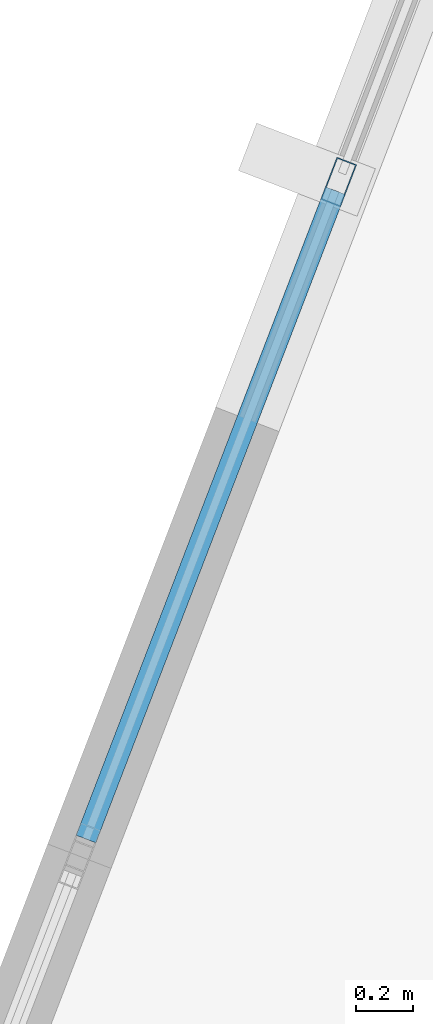
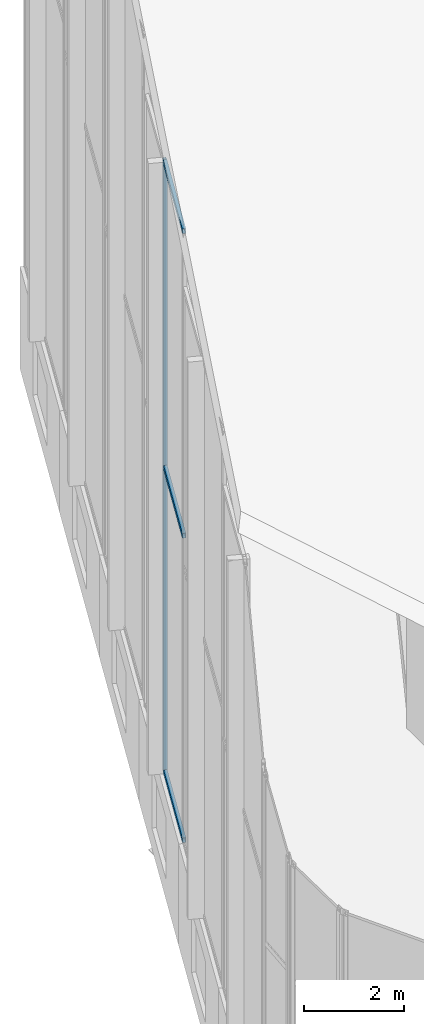
# One storey, part 16 of 74: 4 members, 1 element without a shape of its own.
"""IFC4 building model written with IfcOpenShell, lengths in metres."""

import ifcopenshell
import ifcopenshell.guid

model = None  # the IFC model being written
_history = None  # IfcOwnerHistory: only IFC2X3 demands one
_inside = {}  # id of a spatial element -> (the spatial element, [elements in it])
_under = {}  # id of a project, library or spatial element -> (it, [spatial elements below it])
_declared = {}  # id of a project -> (the project, [libraries it declares])
_typed = {}  # id of a type object -> (the type object, [elements of that type])
_made_of = {}  # id of a material, layer set ... -> (it, [elements and type objects made of it])


def new_model(schema):
    """Start an empty IFC model of exactly this schema.

    Asked for "IFC4X3", IfcOpenShell would pick the latest addendum, in which some entities
    have other attributes; the version numbers below select the first issue.
    IFC2X3 requires an IfcOwnerHistory on every rooted entity: one is made here for all.
    """
    global model, _history
    if schema == "IFC4X3":
        model = ifcopenshell.file(schema_version=(4, 3, 0, 0))
    else:
        model = ifcopenshell.file(schema=schema)
    _inside.clear()
    _under.clear()
    _declared.clear()
    _typed.clear()
    _made_of.clear()
    _history = None
    if model.schema == "IFC2X3":
        org = make("IfcOrganization", Name="unknown")
        user = make(
            "IfcPersonAndOrganization",
            ThePerson=make("IfcPerson", FamilyName="unknown"),
            TheOrganization=org,
        )
        app = make(
            "IfcApplication",
            ApplicationDeveloper=org,
            Version="unknown",
            ApplicationFullName="unknown",
            ApplicationIdentifier="unknown",
        )
        _history = make(
            "IfcOwnerHistory",
            OwningUser=user,
            OwningApplication=app,
            ChangeAction="ADDED",
            CreationDate=0,
        )
    return model


def make(cls, **values):
    """One entity of the class cls with the attributes given. An attribute that is None is left unset."""
    return model.create_entity(
        cls, **{name: value for name, value in values.items() if value is not None}
    )


def rooted(cls, **values):
    """An entity with a GlobalId (a new one), such as an element, a storey or a relation."""
    return make(cls, GlobalId=ifcopenshell.guid.new(), OwnerHistory=_history, **values)


def si_unit(unit_type, name, prefix=None):
    """IfcSIUnit, for example si_unit("LENGTHUNIT", "METRE", prefix="MILLI")."""
    return make("IfcSIUnit", UnitType=unit_type, Prefix=prefix, Name=name)


def assignment(units):
    """IfcUnitAssignment: the units of a project."""
    return None if units is None else make("IfcUnitAssignment", Units=units)


def point(xyz):
    """IfcCartesianPoint."""
    return None if xyz is None else make("IfcCartesianPoint", Coordinates=xyz)


def direction(xyz):
    """IfcDirection."""
    return None if xyz is None else make("IfcDirection", DirectionRatios=xyz)


def frame(location, z_axis=None, x_axis=None):
    """IfcAxis2Placement3D, a coordinate frame: its origin and axes. An axis left out is left unset."""
    return make(
        "IfcAxis2Placement3D",
        Location=point(location),
        Axis=direction(z_axis),
        RefDirection=direction(x_axis),
    )


def frame_2d(location, x_axis=None):
    """IfcAxis2Placement2D, a coordinate frame in the plane: its origin and x axis."""
    return make(
        "IfcAxis2Placement2D", Location=point(location), RefDirection=direction(x_axis)
    )


def origin():
    """The frame at (0, 0, 0) with its axes left unset."""
    return frame((0.0, 0.0, 0.0))


def origin_2d():
    """The frame at (0, 0) in the plane with its x axis left unset."""
    return frame_2d((0.0, 0.0))


def place(relative_to, where):
    """IfcLocalPlacement: puts the frame where relative to a parent placement (None: the world)."""
    return make(
        "IfcLocalPlacement", PlacementRelTo=relative_to, RelativePlacement=where
    )


def context(
    kind, dimensions, precision=None, world=None, true_north=None, identifier=None
):
    """IfcGeometricRepresentationContext, for example the 3D "Model" context."""
    return make(
        "IfcGeometricRepresentationContext",
        ContextIdentifier=identifier,
        ContextType=kind,
        CoordinateSpaceDimension=dimensions,
        Precision=precision,
        WorldCoordinateSystem=world,
        TrueNorth=true_north,
    )


def subcontext(parent, identifier, kind, view, scale=None):
    """IfcGeometricRepresentationSubContext, for example "Body" below "Model"."""
    return make(
        "IfcGeometricRepresentationSubContext",
        ContextIdentifier=identifier,
        ContextType=kind,
        ParentContext=parent,
        TargetScale=scale,
        TargetView=view,
    )


def project(units=None, contexts=None):
    """IfcProject with its units and contexts."""
    return rooted(
        "IfcProject",
        Name="project",
        RepresentationContexts=contexts,
        UnitsInContext=assignment(units),
    )


def spatial(cls, under=None, at=None, **own):
    """A site, building, storey or space (cls), placed at a placement, below another one or the project."""
    s = rooted(cls, ObjectPlacement=at, **own)
    if under is not None:
        _under.setdefault(under.id(), (under, []))[1].append(s)
    return s


def profile(cls, at=None, kind="AREA", **sizes):
    """A parametric profile (cls). Its sizes go by their IFC names, for example OverallWidth=200.0."""
    return make(cls, ProfileType=kind, Position=at, **sizes)


def hollow_rectangle(**sizes):
    """IfcRectangleHollowProfileDef."""
    return profile("IfcRectangleHollowProfileDef", **sizes)


def extrude(swept, where, along, depth):
    """IfcExtrudedAreaSolid: the profile swept, set in the frame where, extruded along a direction by depth."""
    return make(
        "IfcExtrudedAreaSolid",
        SweptArea=swept,
        Position=where,
        ExtrudedDirection=direction(along),
        Depth=depth,
    )


def shape(context_of_items, identifier, shape_type, items):
    """IfcShapeRepresentation: the items that make up one representation, for example the "Body"."""
    return make(
        "IfcShapeRepresentation",
        ContextOfItems=context_of_items,
        RepresentationIdentifier=identifier,
        RepresentationType=shape_type,
        Items=items,
    )


def material(Name=None, Category=None):
    """IfcMaterial."""
    return make("IfcMaterial", Name=Name, Category=Category)


def layer(
    of_material, thickness, ventilated=None, Name=None, Category=None, Priority=None
):
    """IfcMaterialLayer: one layer of a wall or slab, of a material (None: an air gap)."""
    return make(
        "IfcMaterialLayer",
        Material=of_material,
        LayerThickness=thickness,
        IsVentilated=ventilated,
        Name=Name,
        Category=Category,
        Priority=Priority,
    )


def layer_set(layers, Name=None):
    """IfcMaterialLayerSet."""
    return make("IfcMaterialLayerSet", MaterialLayers=layers, LayerSetName=Name)


def material_profile(
    of_material, cross_section, Name=None, Category=None, Priority=None
):
    """IfcMaterialProfile: a cross section and its material."""
    return make(
        "IfcMaterialProfile",
        Name=Name,
        Material=of_material,
        Profile=cross_section,
        Priority=Priority,
        Category=Category,
    )


def profile_set(profiles, Name=None, composite=None):
    """IfcMaterialProfileSet."""
    return make(
        "IfcMaterialProfileSet",
        Name=Name,
        MaterialProfiles=profiles,
        CompositeProfile=composite,
    )


def made_of(thing, what):
    """Note that an element or type object is made of a material, layer set ...; save() writes the relation."""
    if what is not None:
        _made_of.setdefault(what.id(), (what, []))[1].append(thing)
    return thing


def type_object(cls, material=None, **own):
    """A type object (cls), such as IfcWallType, which elements share."""
    return made_of(rooted(cls, **own), material)


def element(
    cls,
    number,
    at=None,
    inside=None,
    cuts=None,
    type_object=None,
    material=None,
    context=None,
    identifier="Body",
    shape_type=None,
    held_by="IfcProductDefinitionShape",
    body=None,
    shapes=None,
    **own,
):
    """One element of the class cls, such as IfcWall. Its Tag is "e" and its number.

    at: its placement. inside: the storey or other place that contains it. cuts: it is an
    opening in that element (IfcRelVoidsElement). A single representation is given by context,
    identifier, shape_type and body (its items); several are given by shapes. held_by: the class
    of the entity that holds the representations. save() writes the other relations.
    """
    e = rooted(cls, Tag="e%d" % number, ObjectPlacement=at, **own)
    if body is not None:
        shapes = [shape(context, identifier, shape_type, body)]
    if shapes is not None:
        e.Representation = make(held_by, Representations=shapes)
    if inside is not None:
        _inside.setdefault(inside.id(), (inside, []))[1].append(e)
    if cuts is not None:
        rooted(
            "IfcRelVoidsElement", RelatingBuildingElement=cuts, RelatedOpeningElement=e
        )
    if type_object is not None:
        _typed.setdefault(type_object.id(), (type_object, []))[1].append(e)
    return made_of(e, material)


def aggregate(whole, parts):
    """IfcRelAggregates: a whole, such as a stair, and the parts it consists of."""
    return rooted("IfcRelAggregates", RelatingObject=whole, RelatedObjects=parts)


def save(model, path):
    """Write the relations noted so far, then the file.

    IfcRelAggregates (storeys below a building ...), IfcRelContainedInSpatialStructure (elements
    in a storey), IfcRelDefinesByType, IfcRelAssociatesMaterial and IfcRelDeclares: one each for
    every whole, place, type object, material and project.
    """
    for whole, parts in _under.values():
        aggregate(whole, parts)
    for where, things in _inside.values():
        rooted(
            "IfcRelContainedInSpatialStructure",
            RelatedElements=things,
            RelatingStructure=where,
        )
    for kind, things in _typed.values():
        rooted("IfcRelDefinesByType", RelatedObjects=things, RelatingType=kind)
    for what, things in _made_of.values():
        rooted("IfcRelAssociatesMaterial", RelatedObjects=things, RelatingMaterial=what)
    for by, libraries in _declared.values():
        rooted("IfcRelDeclares", RelatingContext=by, RelatedDefinitions=libraries)
    model.write(path)


model = new_model("IFC4")

# Units and contexts
model_context = context("Model", 3, precision=1e-05, world=origin(), true_north=direction((0.0, 1.0)))
body_context = subcontext(model_context, "Body", "Model", "MODEL_VIEW")
ifc_project = project(units=[si_unit("LENGTHUNIT", "METRE"), si_unit("AREAUNIT", "SQUARE_METRE"), si_unit("VOLUMEUNIT", "CUBIC_METRE"), si_unit("PLANEANGLEUNIT", "RADIAN"), si_unit("MASSUNIT", "GRAM", prefix="KILO")], contexts=[model_context])

# Site, building, storey
site_placement = place(None, origin())
site = spatial("IfcSite", under=ifc_project, at=site_placement, CompositionType="ELEMENT")
building_placement = place(site_placement, origin())
building = spatial("IfcBuilding", under=site, at=building_placement, Name="Keshet Zoharim Tower", CompositionType="ELEMENT")
storey_placement = place(building_placement, frame((0.0, 0.0, 320.0)))
storey = spatial("IfcBuildingStorey", under=building, at=storey_placement, Name="RF", CompositionType="ELEMENT", Elevation=320.0)

# Curtain wall, members
ifc_material = material(Name="Aluminium 6063-T6", Category="aluminium")
ifc_layer = layer(ifc_material, 0.260009765625)
ifc_layer_set = layer_set([ifc_layer], Name="Aluminium 6063-T6")
curtain_wall_type = type_object("IfcCurtainWallType", Name="CW-SYS-06", PredefinedType="NOTDEFINED", material=ifc_layer_set)
curtain_wall_placement = place(storey_placement, origin())
curtain_wall = element("IfcCurtainWall", 1, at=curtain_wall_placement, inside=storey, type_object=curtain_wall_type, Name="Slanted Crown Curtain Wall 05", PredefinedType="NOTDEFINED")
ifc_material_profile_1 = material_profile(ifc_material, hollow_rectangle(XDim=0.074951171875, YDim=0.159912109375, WallThickness=0.00390625, at=origin_2d()), Name="MUL-75x160")
ifc_profile_set_1 = profile_set([ifc_material_profile_1], Name="Aluminium 6063-T6")
member_type_1 = type_object("IfcMemberType", Name="CWM-M15", PredefinedType="MULLION", material=ifc_profile_set_1)
member_1_placement = place(storey_placement, frame((8.08447265625, 35.92041015625, 2.5), z_axis=(0.0, 0.0, 1.0), x_axis=(-0.933345606206, 0.358979079302, 0.0)))
member_1 = element("IfcMember", 2, at=member_1_placement, type_object=member_type_1, Name="CW-06 mullion 2", PredefinedType="MULLION", context=body_context, shape_type="SweptSolid", body=[
    extrude(hollow_rectangle(XDim=0.074951171875, YDim=0.159912109375, WallThickness=0.00390625, at=origin_2d()), origin(), (0.0, 0.0, 1.0), 14.98095703125),
])
ifc_material_profile_2 = material_profile(ifc_material, hollow_rectangle(XDim=0.074951171875, YDim=0.1201171875, WallThickness=0.00390625, at=origin_2d()), Name="TRN-75x120")
ifc_profile_set_2 = profile_set([ifc_material_profile_2], Name="Aluminium 6063-T6")
member_type_2 = type_object("IfcMemberType", Name="CWT-T12", PredefinedType="USERDEFINED", material=ifc_profile_set_2)
member_2_placement = place(storey_placement, frame((7.1904296875, 33.595703125, 2.532470703125), z_axis=(0.358925837482, 0.933366082086, 0.0), x_axis=(-0.933366082086, 0.358925837482, 0.0)))
member_2 = element("IfcMember", 3, at=member_2_placement, type_object=member_type_2, Name="CW-06 transom 1.1", ObjectType="TRANSOM", PredefinedType="USERDEFINED", context=body_context, shape_type="SweptSolid", body=[
    extrude(hollow_rectangle(XDim=0.074951171875, YDim=0.1201171875, WallThickness=0.00390625, at=origin_2d()), origin(), (0.0, 0.0, 1.0), 2.458251953125),
])
member_3_placement = place(storey_placement, frame((7.1904296875, 33.595703125, 9.989990234375), z_axis=(0.358925837482, 0.933366082086, 0.0), x_axis=(-0.933366082086, 0.358925837482, 0.0)))
member_3 = element("IfcMember", 4, at=member_3_placement, type_object=member_type_2, Name="CW-06 transom 1.2", ObjectType="TRANSOM", PredefinedType="USERDEFINED", context=body_context, shape_type="SweptSolid", body=[
    extrude(hollow_rectangle(XDim=0.074951171875, YDim=0.1201171875, WallThickness=0.00390625, at=origin_2d()), origin(), (0.0, 0.0, 1.0), 2.458251953125),
])
member_4_placement = place(storey_placement, frame((7.1904296875, 33.595703125, 17.448486328125), z_axis=(0.358925837482, 0.933366082086, 0.0), x_axis=(-0.933366082086, 0.358925837482, 0.0)))
member_4 = element("IfcMember", 5, at=member_4_placement, type_object=member_type_2, Name="CW-06 transom 1.3", ObjectType="TRANSOM", PredefinedType="USERDEFINED", context=body_context, shape_type="SweptSolid", body=[
    extrude(hollow_rectangle(XDim=0.074951171875, YDim=0.1201171875, WallThickness=0.00390625, at=origin_2d()), origin(), (0.0, 0.0, 1.0), 2.458251953125),
])
aggregate(curtain_wall, [member_1, member_2, member_3, member_4])

save(model, "model.ifc")
